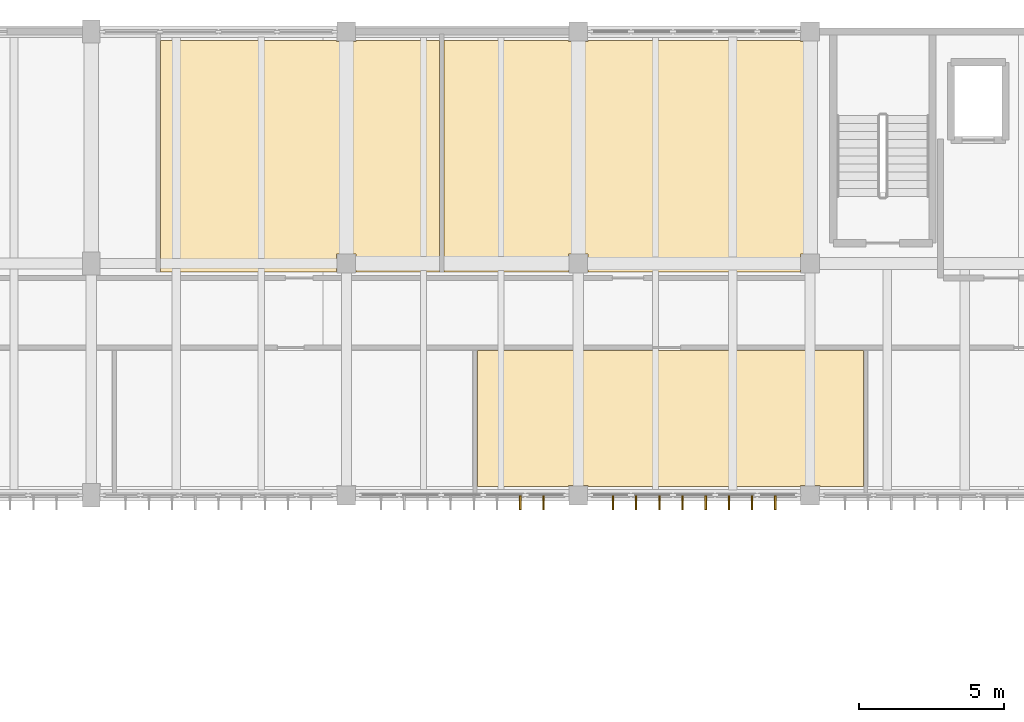
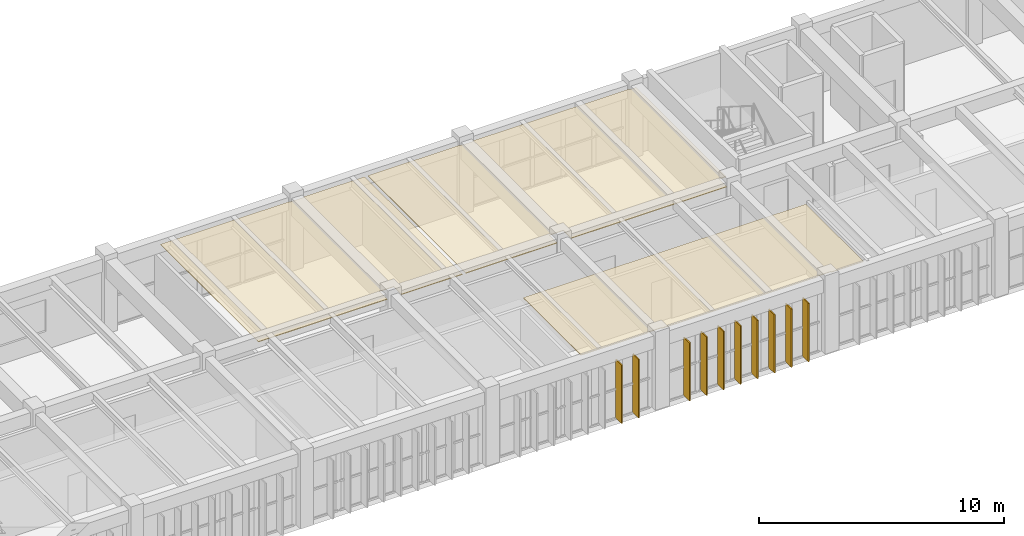
# One storey, part 26 of 31: 10 shading devices, 3 coverings.
"""IFC4 building model written with IfcOpenShell, lengths in metres."""

from ifc_helpers import new_model, si_unit, direction, frame, origin, origin_2d, place, context, subcontext, project, spatial, polyline, rectangle, outline, extrude, material, layer, layer_set, type_object, element, save


model = new_model("IFC4")

# Units and contexts
model_context = context("Model", 3, precision=1e-05, world=origin(), true_north=direction((0.0, 1.0)))
body_context = subcontext(model_context, "Body", "Model", "MODEL_VIEW")
ifc_project = project(units=[si_unit("LENGTHUNIT", "METRE"), si_unit("AREAUNIT", "SQUARE_METRE"), si_unit("VOLUMEUNIT", "CUBIC_METRE"), si_unit("PLANEANGLEUNIT", "RADIAN"), si_unit("MASSUNIT", "GRAM", prefix="KILO")], contexts=[model_context])

# Site, building, storey
site_placement = place(None, origin())
site = spatial("IfcSite", under=ifc_project, at=site_placement, CompositionType="ELEMENT")
building_placement = place(site_placement, origin())
building = spatial("IfcBuilding", under=site, at=building_placement, Name="Tlaxcora Railside Police Headquarters", CompositionType="ELEMENT")
storey_placement = place(building_placement, frame((0.0, 0.0, 18.0)))
storey = spatial("IfcBuildingStorey", under=building, at=storey_placement, Name="L04", CompositionType="ELEMENT", Elevation=18.0)

# Coverings
ifc_material_1 = material(Name="Mineral-fibre acoustic ceiling tile")
ifc_layer_1 = layer(ifc_material_1, 0.034912109375, Name="Mineral-fibre acoustic ceiling tile")
ifc_layer_set_1 = layer_set([ifc_layer_1], Name="Mineral-fibre acoustic ceiling tile")
covering_type = type_object("IfcCoveringType", Name="Acoustic Suspended Ceiling CLG-01", PredefinedType="CEILING", material=ifc_layer_set_1)
covering_1_placement = place(storey_placement, frame((0.0, 0.0, 3.465087890625)))
element("IfcCovering", 1, at=covering_1_placement, inside=storey, type_object=covering_type, Name="Aviation and Rail Corridor Security Unit suspended ceiling", PredefinedType="CEILING", context=body_context, shape_type="SweptSolid", body=[
    extrude(outline(polyline([(71.841064453125, 81.800048828125), (58.51904296875, 81.800048828125), (58.51904296875, 77.10009765625), (61.6650390625, 77.10009765625), (61.6650390625, 77.135009765625), (62.3349609375, 77.135009765625), (62.3349609375, 77.10009765625), (69.6650390625, 77.10009765625), (69.6650390625, 77.135009765625), (70.3349609375, 77.135009765625), (70.3349609375, 77.10009765625), (71.841064453125, 77.10009765625), (71.841064453125, 81.800048828125)])), origin(), (0.0, 0.0, 1.0), 0.034912109375),
])
covering_2_placement = place(storey_placement, frame((0.0, 0.0, 3.465087890625)))
element("IfcCovering", 2, at=covering_2_placement, inside=storey, type_object=covering_type, Name="Accessible WC and Shower Suite L04 suspended ceiling", PredefinedType="CEILING", context=body_context, shape_type="SweptSolid", body=[
    extrude(outline(polyline([(57.208984375, 92.5), (54.3349609375, 92.5), (54.3349609375, 92.465087890625), (53.6650390625, 92.465087890625), (53.6650390625, 92.5), (47.591064453125, 92.5), (47.591064453125, 84.5), (53.6650390625, 84.5), (53.6650390625, 85.135009765625), (54.3349609375, 85.135009765625), (54.3349609375, 84.5), (57.208984375, 84.5), (57.208984375, 92.5)])), origin(), (0.0, 0.0, 1.0), 0.034912109375),
])
covering_3_placement = place(storey_placement, frame((0.0, 0.0, 3.465087890625)))
element("IfcCovering", 3, at=covering_3_placement, inside=storey, type_object=covering_type, Name="Special Operations Kit Locker suspended ceiling", PredefinedType="CEILING", context=body_context, shape_type="SweptSolid", body=[
    extrude(outline(polyline([(62.3349609375, 84.5), (69.6650390625, 84.5), (69.6650390625, 85.135009765625), (70.0, 85.135009765625), (70.0, 92.465087890625), (69.6650390625, 92.465087890625), (69.6650390625, 92.5), (62.3349609375, 92.5), (62.3349609375, 92.465087890625), (61.6650390625, 92.465087890625), (61.6650390625, 92.5), (57.368896484375, 92.5), (57.368896484375, 84.5), (61.6650390625, 84.5), (61.6650390625, 85.135009765625), (62.3349609375, 85.135009765625), (62.3349609375, 84.5)])), origin(), (0.0, 0.0, 1.0), 0.034912109375),
])

# Shading devices
ifc_material_2 = material(Name="Anodised aluminium framing", Category="aluminium")
ifc_layer_2 = layer(ifc_material_2, 0.054931640625, Name="Anodised aluminium framing")
ifc_layer_set_2 = layer_set([ifc_layer_2], Name="Anodised aluminium framing")
shading_device_type = type_object("IfcShadingDeviceType", Name="Solar Control Fin SF-01", PredefinedType="JALOUSIE", material=ifc_layer_set_2)
for number, where, z_axis, x_axis, name in (
    (4, (60.0, 76.5400390625, 0.0400390625), (0.0, 0.0, 1.0), (0.0, -1.0, 0.0), "Vertical solar fin 435"),
    (5, (60.800048828125, 76.5400390625, 0.0400390625), (0.0, 0.0, 1.0), (0.0, -1.0, 0.0), "Vertical solar fin 436"),
    (6, (63.199951171875, 76.5400390625, 0.0400390625), (0.0, 0.0, 1.0), (0.0, -1.0, 0.0), "Vertical solar fin 437"),
    (7, (64.0, 76.5400390625, 0.0400390625), (0.0, 0.0, 1.0), (0.0, -1.0, 0.0), "Vertical solar fin 438"),
    (8, (64.800048828125, 76.5400390625, 0.0400390625), (0.0, 0.0, 1.0), (0.0, -1.0, 0.0), "Vertical solar fin 439"),
    (9, (65.60009765625, 76.5400390625, 0.0400390625), (0.0, 0.0, 1.0), (0.0, -1.0, 0.0), "Vertical solar fin 440"),
    (10, (66.39990234375, 76.5400390625, 0.0400390625), (0.0, 0.0, 1.0), (0.0, -1.0, 0.0), "Vertical solar fin 441"),
    (11, (67.199951171875, 76.5400390625, 0.0400390625), (0.0, 0.0, 1.0), (0.0, -1.0, 0.0), "Vertical solar fin 442"),
    (12, (68.0, 76.5400390625, 0.0400390625), (0.0, 0.0, 1.0), (0.0, -1.0, 0.0), "Vertical solar fin 443"),
    (13, (68.800048828125, 76.5400390625, 0.0400390625), (0.0, 0.0, 1.0), (0.0, -1.0, 0.0), "Vertical solar fin 444"),
):
    element("IfcShadingDevice", number, at=place(storey_placement, frame(where, z_axis=z_axis, x_axis=x_axis)), inside=storey, type_object=shading_device_type, Name=name, PredefinedType="JALOUSIE", context=body_context, shape_type="SweptSolid", body=[
        extrude(rectangle(XDim=0.47998046875, YDim=0.054931640625, at=origin_2d()), origin(), (0.0, 0.0, 1.0), 2.909912109375),
    ])

save(model, "model.ifc")
